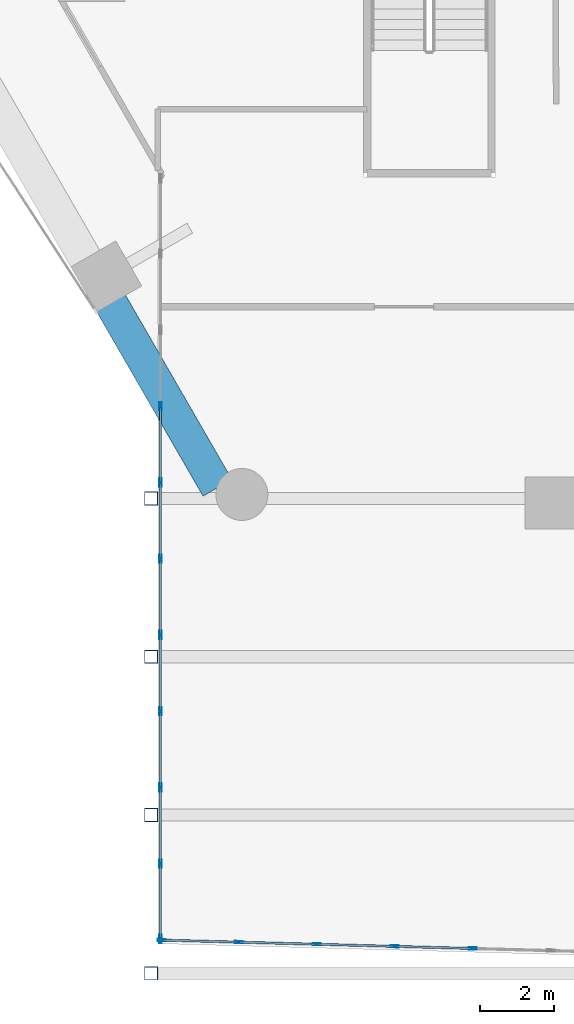
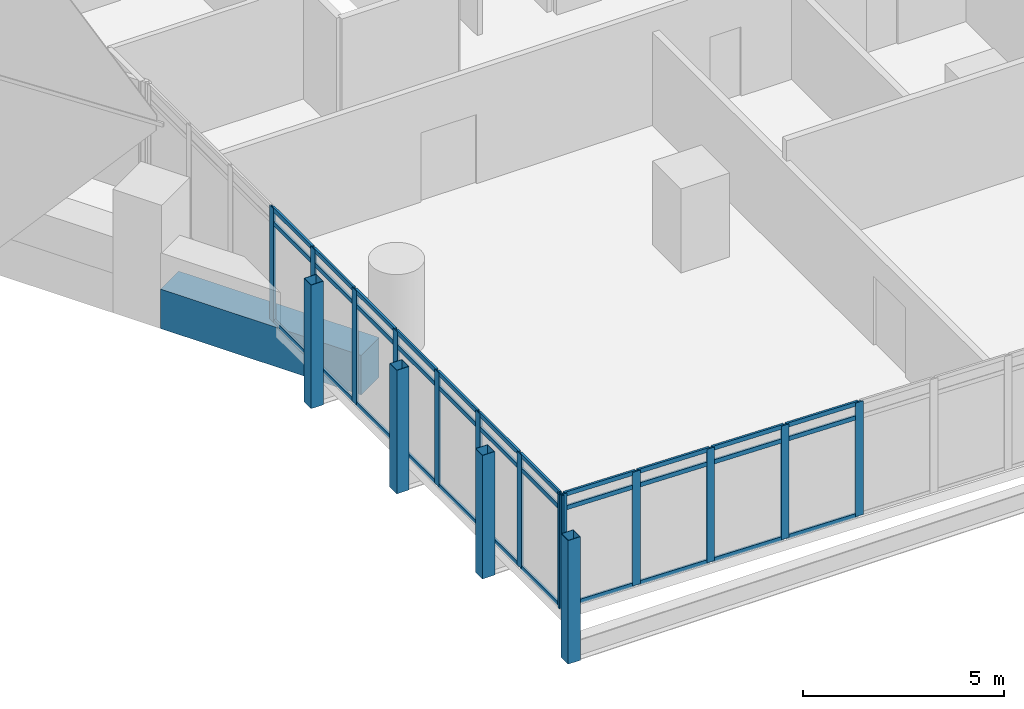
# One storey, part 2 of 35: 50 members, 1 beam, 2 elements without a shape of their own.
"""IFC4 building model written with IfcOpenShell, lengths in metres."""

from ifc_helpers import new_model, si_unit, direction, frame, origin, origin_2d, place, context, subcontext, project, spatial, rectangle, hollow_rectangle, extrude, material, material_profile, profile_set, type_object, element, aggregate, save


model = new_model("IFC4")

# Units and contexts
model_context = context("Model", 3, precision=1e-05, world=origin(), true_north=direction((0.0, 1.0)))
body_context = subcontext(model_context, "Body", "Model", "MODEL_VIEW")
ifc_project = project(units=[si_unit("LENGTHUNIT", "METRE"), si_unit("AREAUNIT", "SQUARE_METRE"), si_unit("VOLUMEUNIT", "CUBIC_METRE"), si_unit("PLANEANGLEUNIT", "RADIAN"), si_unit("MASSUNIT", "GRAM", prefix="KILO")], contexts=[model_context])

# Site, building, storey
site_placement = place(None, origin())
site = spatial("IfcSite", under=ifc_project, at=site_placement, CompositionType="ELEMENT")
building_placement = place(site_placement, origin())
building = spatial("IfcBuilding", under=site, at=building_placement, Name="Ostrander Bayou Hotel Tower", CompositionType="ELEMENT")
storey_placement = place(building_placement, frame((0.0, 0.0, 69.25)))
storey = spatial("IfcBuildingStorey", under=building, at=storey_placement, Name="L17", CompositionType="ELEMENT", Elevation=69.25)

# Curtain wall, members
ifc_material_1 = material(Name="Aluminium and clear glass", Category="aluminium")
curtain_wall_type = type_object("IfcCurtainWallType", Name="CW-BAR glazed wall", PredefinedType="NOTDEFINED", material=ifc_material_1)
curtain_wall_1_placement = place(storey_placement, origin())
curtain_wall_1 = element("IfcCurtainWall", 1, at=curtain_wall_1_placement, inside=storey, type_object=curtain_wall_type, Name="CW-BAR L17:SB1S:E", PredefinedType="NOTDEFINED")
ifc_material_2 = material(Name="Aluminium", Category="aluminium")
ifc_material_profile_1 = material_profile(ifc_material_2, hollow_rectangle(XDim=0.06005859375, YDim=0.219970703125, WallThickness=0.00390625, at=origin_2d()))
ifc_profile_set_1 = profile_set([ifc_material_profile_1], Name="Aluminium")
member_type_1 = type_object("IfcMemberType", Name="CW-BR mullion 60 x 220 mm", PredefinedType="MULLION", material=ifc_profile_set_1)
member_1_placement = place(storey_placement, frame((-14.712158203125, -17.677978515625, 0.0), z_axis=(0.0, 0.0, 1.0), x_axis=(1.0, 0.0, 0.0)))
member_1 = element("IfcMember", 2, at=member_1_placement, type_object=member_type_1, Name="CW-BAR mullion 4", PredefinedType="MULLION", context=body_context, shape_type="SweptSolid", body=[
    extrude(hollow_rectangle(XDim=0.06005859375, YDim=0.219970703125, WallThickness=0.00390625, at=origin_2d()), origin(), (0.0, 0.0, 1.0), 3.449951171875),
])
member_2_placement = place(storey_placement, frame((-14.712158203125, -19.7314453125, 0.0), z_axis=(0.0, 0.0, 1.0), x_axis=(1.0, 0.0, 0.0)))
member_2 = element("IfcMember", 3, at=member_2_placement, type_object=member_type_1, Name="CW-BAR mullion 5", PredefinedType="MULLION", context=body_context, shape_type="SweptSolid", body=[
    extrude(hollow_rectangle(XDim=0.06005859375, YDim=0.219970703125, WallThickness=0.00390625, at=origin_2d()), origin(), (0.0, 0.0, 1.0), 3.449951171875),
])
member_3_placement = place(storey_placement, frame((-14.712158203125, -21.784912109375, 0.0), z_axis=(0.0, 0.0, 1.0), x_axis=(1.0, 0.0, 0.0)))
member_3 = element("IfcMember", 4, at=member_3_placement, type_object=member_type_1, Name="CW-BAR mullion 6", PredefinedType="MULLION", context=body_context, shape_type="SweptSolid", body=[
    extrude(hollow_rectangle(XDim=0.06005859375, YDim=0.219970703125, WallThickness=0.00390625, at=origin_2d()), origin(), (0.0, 0.0, 1.0), 3.449951171875),
])
member_4_placement = place(storey_placement, frame((-14.712158203125, -23.83837890625, 0.0), z_axis=(0.0, 0.0, 1.0), x_axis=(1.0, 0.0, 0.0)))
member_4 = element("IfcMember", 5, at=member_4_placement, type_object=member_type_1, Name="CW-BAR mullion 7", PredefinedType="MULLION", context=body_context, shape_type="SweptSolid", body=[
    extrude(hollow_rectangle(XDim=0.06005859375, YDim=0.219970703125, WallThickness=0.00390625, at=origin_2d()), origin(), (0.0, 0.0, 1.0), 3.449951171875),
])
member_5_placement = place(storey_placement, frame((-14.712158203125, -25.8916015625, 0.0), z_axis=(0.0, 0.0, 1.0), x_axis=(1.0, 0.0, 0.0)))
member_5 = element("IfcMember", 6, at=member_5_placement, type_object=member_type_1, Name="CW-BAR mullion 8", PredefinedType="MULLION", context=body_context, shape_type="SweptSolid", body=[
    extrude(hollow_rectangle(XDim=0.06005859375, YDim=0.219970703125, WallThickness=0.00390625, at=origin_2d()), origin(), (0.0, 0.0, 1.0), 3.449951171875),
])
member_6_placement = place(storey_placement, frame((-14.712158203125, -27.945068359375, 0.0), z_axis=(0.0, 0.0, 1.0), x_axis=(1.0, 0.0, 0.0)))
member_6 = element("IfcMember", 7, at=member_6_placement, type_object=member_type_1, Name="CW-BAR mullion 9", PredefinedType="MULLION", context=body_context, shape_type="SweptSolid", body=[
    extrude(hollow_rectangle(XDim=0.06005859375, YDim=0.219970703125, WallThickness=0.00390625, at=origin_2d()), origin(), (0.0, 0.0, 1.0), 3.449951171875),
])
member_7_placement = place(storey_placement, frame((-14.712158203125, -29.99853515625, 0.0), z_axis=(0.0, 0.0, 1.0), x_axis=(1.0, 0.0, 0.0)))
member_7 = element("IfcMember", 8, at=member_7_placement, type_object=member_type_1, Name="CW-BAR mullion 10", PredefinedType="MULLION", context=body_context, shape_type="SweptSolid", body=[
    extrude(hollow_rectangle(XDim=0.06005859375, YDim=0.219970703125, WallThickness=0.00390625, at=origin_2d()), origin(), (0.0, 0.0, 1.0), 3.449951171875),
])
member_8_placement = place(storey_placement, frame((-14.712158203125, -32.02197265625, 0.0), z_axis=(0.0, 0.0, 1.0), x_axis=(1.0, 0.0, 0.0)))
member_8 = element("IfcMember", 9, at=member_8_placement, type_object=member_type_1, Name="CW-BAR mullion 11", PredefinedType="MULLION", context=body_context, shape_type="SweptSolid", body=[
    extrude(hollow_rectangle(XDim=0.06005859375, YDim=0.219970703125, WallThickness=0.00390625, at=origin_2d()), origin(), (0.0, 0.0, 1.0), 3.449951171875),
])

curtain_wall_2_placement = place(storey_placement, origin())
curtain_wall_2 = element("IfcCurtainWall", 10, at=curtain_wall_2_placement, inside=storey, type_object=curtain_wall_type, Name="CW-BAR L17:SB1S:T", PredefinedType="NOTDEFINED")
member_9_placement = place(storey_placement, frame((-14.68212890625, -32.052734375, 0.0), z_axis=(0.0, 0.0, 1.0), x_axis=(0.027042484848, 0.999634285133, 0.0)))
member_9 = element("IfcMember", 11, at=member_9_placement, type_object=member_type_1, Name="CW-BAR mullion 1", PredefinedType="MULLION", context=body_context, shape_type="SweptSolid", body=[
    extrude(hollow_rectangle(XDim=0.06005859375, YDim=0.219970703125, WallThickness=0.00390625, at=origin_2d()), origin(), (0.0, 0.0, 1.0), 3.449951171875),
])
member_10_placement = place(storey_placement, frame((-12.6103515625, -32.10888671875, 0.0), z_axis=(0.0, 0.0, 1.0), x_axis=(0.027042484848, 0.999634285133, 0.0)))
member_10 = element("IfcMember", 12, at=member_10_placement, type_object=member_type_1, Name="CW-BAR mullion 2", PredefinedType="MULLION", context=body_context, shape_type="SweptSolid", body=[
    extrude(hollow_rectangle(XDim=0.06005859375, YDim=0.219970703125, WallThickness=0.00390625, at=origin_2d()), origin(), (0.0, 0.0, 1.0), 3.449951171875),
])
member_11_placement = place(storey_placement, frame((-10.5087890625, -32.165771484375, 0.0), z_axis=(0.0, 0.0, 1.0), x_axis=(0.027042484848, 0.999634285133, 0.0)))
member_11 = element("IfcMember", 13, at=member_11_placement, type_object=member_type_1, Name="CW-BAR mullion 3", PredefinedType="MULLION", context=body_context, shape_type="SweptSolid", body=[
    extrude(hollow_rectangle(XDim=0.06005859375, YDim=0.219970703125, WallThickness=0.00390625, at=origin_2d()), origin(), (0.0, 0.0, 1.0), 3.449951171875),
])
member_12_placement = place(storey_placement, frame((-8.406982421875, -32.22265625, 0.0), z_axis=(0.0, 0.0, 1.0), x_axis=(0.027042484848, 0.999634285133, 0.0)))
member_12 = element("IfcMember", 14, at=member_12_placement, type_object=member_type_1, Name="CW-BAR mullion 4", PredefinedType="MULLION", context=body_context, shape_type="SweptSolid", body=[
    extrude(hollow_rectangle(XDim=0.06005859375, YDim=0.219970703125, WallThickness=0.00390625, at=origin_2d()), origin(), (0.0, 0.0, 1.0), 3.449951171875),
])
member_13_placement = place(storey_placement, frame((-6.30517578125, -32.279541015625, 0.0), z_axis=(0.0, 0.0, 1.0), x_axis=(0.027042484848, 0.999634285133, 0.0)))
member_13 = element("IfcMember", 15, at=member_13_placement, type_object=member_type_1, Name="CW-BAR mullion 5", PredefinedType="MULLION", context=body_context, shape_type="SweptSolid", body=[
    extrude(hollow_rectangle(XDim=0.06005859375, YDim=0.219970703125, WallThickness=0.00390625, at=origin_2d()), origin(), (0.0, 0.0, 1.0), 3.449951171875),
])

# Member
ifc_material_3 = material(Name="Aluminium", Category="aluminium")
ifc_material_profile_2 = material_profile(ifc_material_3, hollow_rectangle(XDim=0.06005859375, YDim=0.1298828125, WallThickness=0.00390625, at=origin_2d()))
ifc_profile_set_2 = profile_set([ifc_material_profile_2], Name="Aluminium")
member_type_2 = type_object("IfcMemberType", Name="CW-BR transom 60 x 130 mm", PredefinedType="USERDEFINED", material=ifc_profile_set_2)
member_14_placement = place(storey_placement, frame((-14.712158203125, -17.7080078125, 0.030029296875), z_axis=(0.0, -1.0, 0.0), x_axis=(1.0, 0.0, 0.0)))
member_14 = element("IfcMember", 16, at=member_14_placement, type_object=member_type_2, Name="CW-BAR transom 4.1", ObjectType="TRANSOM", PredefinedType="USERDEFINED", context=body_context, shape_type="SweptSolid", body=[
    extrude(hollow_rectangle(XDim=0.06005859375, YDim=0.1298828125, WallThickness=0.00390625, at=origin_2d()), origin(), (0.0, 0.0, 1.0), 1.993408203125),
])

member_15_placement = place(storey_placement, frame((-14.712158203125, -17.7080078125, 3.0), z_axis=(0.0, -1.0, 0.0), x_axis=(1.0, 0.0, 0.0)))
member_15 = element("IfcMember", 17, at=member_15_placement, type_object=member_type_2, Name="CW-BAR transom 4.2", ObjectType="TRANSOM", PredefinedType="USERDEFINED", context=body_context, shape_type="SweptSolid", body=[
    extrude(hollow_rectangle(XDim=0.06005859375, YDim=0.1298828125, WallThickness=0.00390625, at=origin_2d()), origin(), (0.0, 0.0, 1.0), 1.993408203125),
])

member_16_placement = place(storey_placement, frame((-14.712158203125, -17.7080078125, 3.419921875), z_axis=(0.0, -1.0, 0.0), x_axis=(1.0, 0.0, 0.0)))
member_16 = element("IfcMember", 18, at=member_16_placement, type_object=member_type_2, Name="CW-BAR transom 4.3", ObjectType="TRANSOM", PredefinedType="USERDEFINED", context=body_context, shape_type="SweptSolid", body=[
    extrude(hollow_rectangle(XDim=0.06005859375, YDim=0.1298828125, WallThickness=0.00390625, at=origin_2d()), origin(), (0.0, 0.0, 1.0), 1.993408203125),
])

member_17_placement = place(storey_placement, frame((-14.712158203125, -19.761474609375, 0.030029296875), z_axis=(0.0, -1.0, 0.0), x_axis=(1.0, 0.0, 0.0)))
member_17 = element("IfcMember", 19, at=member_17_placement, type_object=member_type_2, Name="CW-BAR transom 5.1", ObjectType="TRANSOM", PredefinedType="USERDEFINED", context=body_context, shape_type="SweptSolid", body=[
    extrude(hollow_rectangle(XDim=0.06005859375, YDim=0.1298828125, WallThickness=0.00390625, at=origin_2d()), origin(), (0.0, 0.0, 1.0), 1.993408203125),
])

member_18_placement = place(storey_placement, frame((-14.712158203125, -19.761474609375, 3.0), z_axis=(0.0, -1.0, 0.0), x_axis=(1.0, 0.0, 0.0)))
member_18 = element("IfcMember", 20, at=member_18_placement, type_object=member_type_2, Name="CW-BAR transom 5.2", ObjectType="TRANSOM", PredefinedType="USERDEFINED", context=body_context, shape_type="SweptSolid", body=[
    extrude(hollow_rectangle(XDim=0.06005859375, YDim=0.1298828125, WallThickness=0.00390625, at=origin_2d()), origin(), (0.0, 0.0, 1.0), 1.993408203125),
])

member_19_placement = place(storey_placement, frame((-14.712158203125, -19.761474609375, 3.419921875), z_axis=(0.0, -1.0, 0.0), x_axis=(1.0, 0.0, 0.0)))
member_19 = element("IfcMember", 21, at=member_19_placement, type_object=member_type_2, Name="CW-BAR transom 5.3", ObjectType="TRANSOM", PredefinedType="USERDEFINED", context=body_context, shape_type="SweptSolid", body=[
    extrude(hollow_rectangle(XDim=0.06005859375, YDim=0.1298828125, WallThickness=0.00390625, at=origin_2d()), origin(), (0.0, 0.0, 1.0), 1.993408203125),
])

member_20_placement = place(storey_placement, frame((-14.712158203125, -21.81494140625, 0.030029296875), z_axis=(0.0, -1.0, 0.0), x_axis=(1.0, 0.0, 0.0)))
member_20 = element("IfcMember", 22, at=member_20_placement, type_object=member_type_2, Name="CW-BAR transom 6.1", ObjectType="TRANSOM", PredefinedType="USERDEFINED", context=body_context, shape_type="SweptSolid", body=[
    extrude(hollow_rectangle(XDim=0.06005859375, YDim=0.1298828125, WallThickness=0.00390625, at=origin_2d()), origin(), (0.0, 0.0, 1.0), 1.993408203125),
])

member_21_placement = place(storey_placement, frame((-14.712158203125, -21.81494140625, 3.0), z_axis=(0.0, -1.0, 0.0), x_axis=(1.0, 0.0, 0.0)))
member_21 = element("IfcMember", 23, at=member_21_placement, type_object=member_type_2, Name="CW-BAR transom 6.2", ObjectType="TRANSOM", PredefinedType="USERDEFINED", context=body_context, shape_type="SweptSolid", body=[
    extrude(hollow_rectangle(XDim=0.06005859375, YDim=0.1298828125, WallThickness=0.00390625, at=origin_2d()), origin(), (0.0, 0.0, 1.0), 1.993408203125),
])

member_22_placement = place(storey_placement, frame((-14.712158203125, -21.81494140625, 3.419921875), z_axis=(0.0, -1.0, 0.0), x_axis=(1.0, 0.0, 0.0)))
member_22 = element("IfcMember", 24, at=member_22_placement, type_object=member_type_2, Name="CW-BAR transom 6.3", ObjectType="TRANSOM", PredefinedType="USERDEFINED", context=body_context, shape_type="SweptSolid", body=[
    extrude(hollow_rectangle(XDim=0.06005859375, YDim=0.1298828125, WallThickness=0.00390625, at=origin_2d()), origin(), (0.0, 0.0, 1.0), 1.993408203125),
])

member_23_placement = place(storey_placement, frame((-14.712158203125, -23.8681640625, 0.030029296875), z_axis=(0.0, -1.0, 0.0), x_axis=(1.0, 0.0, 0.0)))
member_23 = element("IfcMember", 25, at=member_23_placement, type_object=member_type_2, Name="CW-BAR transom 7.1", ObjectType="TRANSOM", PredefinedType="USERDEFINED", context=body_context, shape_type="SweptSolid", body=[
    extrude(hollow_rectangle(XDim=0.06005859375, YDim=0.1298828125, WallThickness=0.00390625, at=origin_2d()), origin(), (0.0, 0.0, 1.0), 1.99365234375),
])

member_24_placement = place(storey_placement, frame((-14.712158203125, -23.8681640625, 3.0), z_axis=(0.0, -1.0, 0.0), x_axis=(1.0, 0.0, 0.0)))
member_24 = element("IfcMember", 26, at=member_24_placement, type_object=member_type_2, Name="CW-BAR transom 7.2", ObjectType="TRANSOM", PredefinedType="USERDEFINED", context=body_context, shape_type="SweptSolid", body=[
    extrude(hollow_rectangle(XDim=0.06005859375, YDim=0.1298828125, WallThickness=0.00390625, at=origin_2d()), origin(), (0.0, 0.0, 1.0), 1.99365234375),
])

member_25_placement = place(storey_placement, frame((-14.712158203125, -23.8681640625, 3.419921875), z_axis=(0.0, -1.0, 0.0), x_axis=(1.0, 0.0, 0.0)))
member_25 = element("IfcMember", 27, at=member_25_placement, type_object=member_type_2, Name="CW-BAR transom 7.3", ObjectType="TRANSOM", PredefinedType="USERDEFINED", context=body_context, shape_type="SweptSolid", body=[
    extrude(hollow_rectangle(XDim=0.06005859375, YDim=0.1298828125, WallThickness=0.00390625, at=origin_2d()), origin(), (0.0, 0.0, 1.0), 1.99365234375),
])

member_26_placement = place(storey_placement, frame((-14.712158203125, -25.921630859375, 0.030029296875), z_axis=(0.0, -1.0, 0.0), x_axis=(1.0, 0.0, 0.0)))
member_26 = element("IfcMember", 28, at=member_26_placement, type_object=member_type_2, Name="CW-BAR transom 8.1", ObjectType="TRANSOM", PredefinedType="USERDEFINED", context=body_context, shape_type="SweptSolid", body=[
    extrude(hollow_rectangle(XDim=0.06005859375, YDim=0.1298828125, WallThickness=0.00390625, at=origin_2d()), origin(), (0.0, 0.0, 1.0), 1.993408203125),
])

member_27_placement = place(storey_placement, frame((-14.712158203125, -25.921630859375, 3.0), z_axis=(0.0, -1.0, 0.0), x_axis=(1.0, 0.0, 0.0)))
member_27 = element("IfcMember", 29, at=member_27_placement, type_object=member_type_2, Name="CW-BAR transom 8.2", ObjectType="TRANSOM", PredefinedType="USERDEFINED", context=body_context, shape_type="SweptSolid", body=[
    extrude(hollow_rectangle(XDim=0.06005859375, YDim=0.1298828125, WallThickness=0.00390625, at=origin_2d()), origin(), (0.0, 0.0, 1.0), 1.993408203125),
])

member_28_placement = place(storey_placement, frame((-14.712158203125, -25.921630859375, 3.419921875), z_axis=(0.0, -1.0, 0.0), x_axis=(1.0, 0.0, 0.0)))
member_28 = element("IfcMember", 30, at=member_28_placement, type_object=member_type_2, Name="CW-BAR transom 8.3", ObjectType="TRANSOM", PredefinedType="USERDEFINED", context=body_context, shape_type="SweptSolid", body=[
    extrude(hollow_rectangle(XDim=0.06005859375, YDim=0.1298828125, WallThickness=0.00390625, at=origin_2d()), origin(), (0.0, 0.0, 1.0), 1.993408203125),
])

member_29_placement = place(storey_placement, frame((-14.712158203125, -27.97509765625, 0.030029296875), z_axis=(0.0, -1.0, 0.0), x_axis=(1.0, 0.0, 0.0)))
member_29 = element("IfcMember", 31, at=member_29_placement, type_object=member_type_2, Name="CW-BAR transom 9.1", ObjectType="TRANSOM", PredefinedType="USERDEFINED", context=body_context, shape_type="SweptSolid", body=[
    extrude(hollow_rectangle(XDim=0.06005859375, YDim=0.1298828125, WallThickness=0.00390625, at=origin_2d()), origin(), (0.0, 0.0, 1.0), 1.993408203125),
])

member_30_placement = place(storey_placement, frame((-14.712158203125, -27.97509765625, 3.0), z_axis=(0.0, -1.0, 0.0), x_axis=(1.0, 0.0, 0.0)))
member_30 = element("IfcMember", 32, at=member_30_placement, type_object=member_type_2, Name="CW-BAR transom 9.2", ObjectType="TRANSOM", PredefinedType="USERDEFINED", context=body_context, shape_type="SweptSolid", body=[
    extrude(hollow_rectangle(XDim=0.06005859375, YDim=0.1298828125, WallThickness=0.00390625, at=origin_2d()), origin(), (0.0, 0.0, 1.0), 1.993408203125),
])

member_31_placement = place(storey_placement, frame((-14.712158203125, -27.97509765625, 3.419921875), z_axis=(0.0, -1.0, 0.0), x_axis=(1.0, 0.0, 0.0)))
member_31 = element("IfcMember", 33, at=member_31_placement, type_object=member_type_2, Name="CW-BAR transom 9.3", ObjectType="TRANSOM", PredefinedType="USERDEFINED", context=body_context, shape_type="SweptSolid", body=[
    extrude(hollow_rectangle(XDim=0.06005859375, YDim=0.1298828125, WallThickness=0.00390625, at=origin_2d()), origin(), (0.0, 0.0, 1.0), 1.993408203125),
])

member_32_placement = place(storey_placement, frame((-14.712158203125, -30.028564453125, 0.030029296875), z_axis=(0.0, -1.0, 0.0), x_axis=(1.0, 0.0, 0.0)))
member_32 = element("IfcMember", 34, at=member_32_placement, type_object=member_type_2, Name="CW-BAR transom 10.1", ObjectType="TRANSOM", PredefinedType="USERDEFINED", context=body_context, shape_type="SweptSolid", body=[
    extrude(hollow_rectangle(XDim=0.06005859375, YDim=0.1298828125, WallThickness=0.00390625, at=origin_2d()), origin(), (0.0, 0.0, 1.0), 1.96337890625),
])

member_33_placement = place(storey_placement, frame((-14.712158203125, -30.028564453125, 3.0), z_axis=(0.0, -1.0, 0.0), x_axis=(1.0, 0.0, 0.0)))
member_33 = element("IfcMember", 35, at=member_33_placement, type_object=member_type_2, Name="CW-BAR transom 10.2", ObjectType="TRANSOM", PredefinedType="USERDEFINED", context=body_context, shape_type="SweptSolid", body=[
    extrude(hollow_rectangle(XDim=0.06005859375, YDim=0.1298828125, WallThickness=0.00390625, at=origin_2d()), origin(), (0.0, 0.0, 1.0), 1.96337890625),
])

member_34_placement = place(storey_placement, frame((-14.712158203125, -30.028564453125, 3.419921875), z_axis=(0.0, -1.0, 0.0), x_axis=(1.0, 0.0, 0.0)))
member_34 = element("IfcMember", 36, at=member_34_placement, type_object=member_type_2, Name="CW-BAR transom 10.3", ObjectType="TRANSOM", PredefinedType="USERDEFINED", context=body_context, shape_type="SweptSolid", body=[
    extrude(hollow_rectangle(XDim=0.06005859375, YDim=0.1298828125, WallThickness=0.00390625, at=origin_2d()), origin(), (0.0, 0.0, 1.0), 1.96337890625),
])

aggregate(curtain_wall_1, [member_1, member_2, member_3, member_4, member_5, member_6, member_7, member_8, member_14, member_15, member_16, member_17, member_18, member_19, member_20, member_21, member_22, member_23, member_24, member_25, member_26, member_27, member_28, member_29, member_30, member_31, member_32, member_33, member_34])

member_35_placement = place(storey_placement, frame((-14.65234375, -32.0537109375, 0.030029296875), z_axis=(0.999634083934, -0.027049921213, 0.0), x_axis=(0.027049921213, 0.999634083934, 0.0)))
member_35 = element("IfcMember", 37, at=member_35_placement, type_object=member_type_2, Name="CW-BAR transom 1.1", ObjectType="TRANSOM", PredefinedType="USERDEFINED", context=body_context, shape_type="SweptSolid", body=[
    extrude(hollow_rectangle(XDim=0.06005859375, YDim=0.1298828125, WallThickness=0.00390625, at=origin_2d()), origin(), (0.0, 0.0, 1.0), 2.0126953125),
])

member_36_placement = place(storey_placement, frame((-14.65234375, -32.0537109375, 3.0), z_axis=(0.999634083934, -0.027049921213, 0.0), x_axis=(0.027049921213, 0.999634083934, 0.0)))
member_36 = element("IfcMember", 38, at=member_36_placement, type_object=member_type_2, Name="CW-BAR transom 1.2", ObjectType="TRANSOM", PredefinedType="USERDEFINED", context=body_context, shape_type="SweptSolid", body=[
    extrude(hollow_rectangle(XDim=0.06005859375, YDim=0.1298828125, WallThickness=0.00390625, at=origin_2d()), origin(), (0.0, 0.0, 1.0), 2.0126953125),
])

member_37_placement = place(storey_placement, frame((-14.65234375, -32.0537109375, 3.419921875), z_axis=(0.999634083934, -0.027049921213, 0.0), x_axis=(0.027049921213, 0.999634083934, 0.0)))
member_37 = element("IfcMember", 39, at=member_37_placement, type_object=member_type_2, Name="CW-BAR transom 1.3", ObjectType="TRANSOM", PredefinedType="USERDEFINED", context=body_context, shape_type="SweptSolid", body=[
    extrude(hollow_rectangle(XDim=0.06005859375, YDim=0.1298828125, WallThickness=0.00390625, at=origin_2d()), origin(), (0.0, 0.0, 1.0), 2.0126953125),
])

member_38_placement = place(storey_placement, frame((-12.58056640625, -32.109619140625, 0.030029296875), z_axis=(0.999635057116, -0.027013933147, 0.0), x_axis=(0.027013933147, 0.999635057116, 0.0)))
member_38 = element("IfcMember", 40, at=member_38_placement, type_object=member_type_2, Name="CW-BAR transom 2.1", ObjectType="TRANSOM", PredefinedType="USERDEFINED", context=body_context, shape_type="SweptSolid", body=[
    extrude(hollow_rectangle(XDim=0.06005859375, YDim=0.1298828125, WallThickness=0.00390625, at=origin_2d()), origin(), (0.0, 0.0, 1.0), 2.04248046875),
])

member_39_placement = place(storey_placement, frame((-12.58056640625, -32.109619140625, 3.0), z_axis=(0.999635057116, -0.027013933147, 0.0), x_axis=(0.027013933147, 0.999635057116, 0.0)))
member_39 = element("IfcMember", 41, at=member_39_placement, type_object=member_type_2, Name="CW-BAR transom 2.2", ObjectType="TRANSOM", PredefinedType="USERDEFINED", context=body_context, shape_type="SweptSolid", body=[
    extrude(hollow_rectangle(XDim=0.06005859375, YDim=0.1298828125, WallThickness=0.00390625, at=origin_2d()), origin(), (0.0, 0.0, 1.0), 2.04248046875),
])

member_40_placement = place(storey_placement, frame((-12.58056640625, -32.109619140625, 3.419921875), z_axis=(0.999635057116, -0.027013933147, 0.0), x_axis=(0.027013933147, 0.999635057116, 0.0)))
member_40 = element("IfcMember", 42, at=member_40_placement, type_object=member_type_2, Name="CW-BAR transom 2.3", ObjectType="TRANSOM", PredefinedType="USERDEFINED", context=body_context, shape_type="SweptSolid", body=[
    extrude(hollow_rectangle(XDim=0.06005859375, YDim=0.1298828125, WallThickness=0.00390625, at=origin_2d()), origin(), (0.0, 0.0, 1.0), 2.04248046875),
])

member_41_placement = place(storey_placement, frame((-10.478759765625, -32.16650390625, 0.030029296875), z_axis=(0.999635057116, -0.027013933147, 0.0), x_axis=(0.027013933147, 0.999635057116, 0.0)))
member_41 = element("IfcMember", 43, at=member_41_placement, type_object=member_type_2, Name="CW-BAR transom 3.1", ObjectType="TRANSOM", PredefinedType="USERDEFINED", context=body_context, shape_type="SweptSolid", body=[
    extrude(hollow_rectangle(XDim=0.06005859375, YDim=0.1298828125, WallThickness=0.00390625, at=origin_2d()), origin(), (0.0, 0.0, 1.0), 2.04248046875),
])

member_42_placement = place(storey_placement, frame((-10.478759765625, -32.16650390625, 3.0), z_axis=(0.999635057116, -0.027013933147, 0.0), x_axis=(0.027013933147, 0.999635057116, 0.0)))
member_42 = element("IfcMember", 44, at=member_42_placement, type_object=member_type_2, Name="CW-BAR transom 3.2", ObjectType="TRANSOM", PredefinedType="USERDEFINED", context=body_context, shape_type="SweptSolid", body=[
    extrude(hollow_rectangle(XDim=0.06005859375, YDim=0.1298828125, WallThickness=0.00390625, at=origin_2d()), origin(), (0.0, 0.0, 1.0), 2.04248046875),
])

member_43_placement = place(storey_placement, frame((-10.478759765625, -32.16650390625, 3.419921875), z_axis=(0.999635057116, -0.027013933147, 0.0), x_axis=(0.027013933147, 0.999635057116, 0.0)))
member_43 = element("IfcMember", 45, at=member_43_placement, type_object=member_type_2, Name="CW-BAR transom 3.3", ObjectType="TRANSOM", PredefinedType="USERDEFINED", context=body_context, shape_type="SweptSolid", body=[
    extrude(hollow_rectangle(XDim=0.06005859375, YDim=0.1298828125, WallThickness=0.00390625, at=origin_2d()), origin(), (0.0, 0.0, 1.0), 2.04248046875),
])

member_44_placement = place(storey_placement, frame((-8.376953125, -32.223388671875, 0.030029296875), z_axis=(0.999635057116, -0.027013933147, 0.0), x_axis=(0.027013933147, 0.999635057116, 0.0)))
member_44 = element("IfcMember", 46, at=member_44_placement, type_object=member_type_2, Name="CW-BAR transom 4.1", ObjectType="TRANSOM", PredefinedType="USERDEFINED", context=body_context, shape_type="SweptSolid", body=[
    extrude(hollow_rectangle(XDim=0.06005859375, YDim=0.1298828125, WallThickness=0.00390625, at=origin_2d()), origin(), (0.0, 0.0, 1.0), 2.04248046875),
])

member_45_placement = place(storey_placement, frame((-8.376953125, -32.223388671875, 3.0), z_axis=(0.999635057116, -0.027013933147, 0.0), x_axis=(0.027013933147, 0.999635057116, 0.0)))
member_45 = element("IfcMember", 47, at=member_45_placement, type_object=member_type_2, Name="CW-BAR transom 4.2", ObjectType="TRANSOM", PredefinedType="USERDEFINED", context=body_context, shape_type="SweptSolid", body=[
    extrude(hollow_rectangle(XDim=0.06005859375, YDim=0.1298828125, WallThickness=0.00390625, at=origin_2d()), origin(), (0.0, 0.0, 1.0), 2.04248046875),
])

member_46_placement = place(storey_placement, frame((-8.376953125, -32.223388671875, 3.419921875), z_axis=(0.999635057116, -0.027013933147, 0.0), x_axis=(0.027013933147, 0.999635057116, 0.0)))
member_46 = element("IfcMember", 48, at=member_46_placement, type_object=member_type_2, Name="CW-BAR transom 4.3", ObjectType="TRANSOM", PredefinedType="USERDEFINED", context=body_context, shape_type="SweptSolid", body=[
    extrude(hollow_rectangle(XDim=0.06005859375, YDim=0.1298828125, WallThickness=0.00390625, at=origin_2d()), origin(), (0.0, 0.0, 1.0), 2.04248046875),
])

aggregate(curtain_wall_2, [member_9, member_10, member_11, member_12, member_13, member_35, member_36, member_37, member_38, member_39, member_40, member_41, member_42, member_43, member_44, member_45, member_46])

# Beam
ifc_material_4 = material(Name="Concrete f'c 70 MPa", Category="concrete")
ifc_material_profile_3 = material_profile(ifc_material_4, rectangle(XDim=0.89990234375, YDim=1.199951171875, at=origin_2d()))
ifc_profile_set_3 = profile_set([ifc_material_profile_3], Name="Concrete f'c 70 MPa")
beam_type = type_object("IfcBeamType", Name="SP1 spandrel beam 900 x 1200 mm f'c 70 MPa", PredefinedType="SPANDREL", material=ifc_profile_set_3)
beam_placement = place(storey_placement, frame((-16.056884765625, -14.888671875, -0.60009765625), z_axis=(0.500014818852, -0.866016847947, 0.0), x_axis=(0.866016847947, 0.500014818852, 0.0)))
element("IfcBeam", 49, at=beam_placement, inside=storey, type_object=beam_type, Name="SP1 L17 SW-3", PredefinedType="SPANDREL", context=body_context, shape_type="SweptSolid", body=[
    extrude(rectangle(XDim=0.89990234375, YDim=1.199951171875, at=origin_2d()), origin(), (0.0, 0.0, 1.0), 5.758544921875),
])

# Members
ifc_material_5 = material(Name="Steel ASTM A500 Gr C", Category="steel")
ifc_material_profile_4 = material_profile(ifc_material_5, hollow_rectangle(XDim=0.355712890625, YDim=0.355712890625, WallThickness=0.01171875, at=origin_2d()))
ifc_profile_set_4 = profile_set([ifc_material_profile_4], Name="Steel ASTM A500 Gr C")
member_type_3 = type_object("IfcMemberType", Name="TH2 bar hanger HSS14x14x1/2", PredefinedType="POST", material=ifc_profile_set_4)
for number, where, z_axis, x_axis, name in (
    (50, (-14.965087890625, -20.162841796875, -0.921875), (0.0, 0.0, 1.0), (1.0, 0.0, 0.0), "TH2 SB1SA H1-2"),
    (51, (-14.965087890625, -24.42529296875, -0.921875), (0.0, 0.0, 1.0), (1.0, 0.0, 0.0), "TH2 SB1SA H2-2"),
    (52, (-14.965087890625, -28.6875, -0.921875), (0.0, 0.0, 1.0), (1.0, 0.0, 0.0), "TH2 SB1SA H3-2"),
    (53, (-14.965087890625, -32.949951171875, -0.921875), (0.0, 0.0, 1.0), (1.0, 0.0, 0.0), "TH2 SB1SA H4-2"),
):
    element("IfcMember", number, at=place(storey_placement, frame(where, z_axis=z_axis, x_axis=x_axis)), inside=storey, type_object=member_type_3, Name=name, PredefinedType="POST", context=body_context, shape_type="SweptSolid", body=[
        extrude(hollow_rectangle(XDim=0.355712890625, YDim=0.355712890625, WallThickness=0.01171875, at=origin_2d()), origin(), (0.0, 0.0, 1.0), 3.75),
    ])

save(model, "model.ifc")
